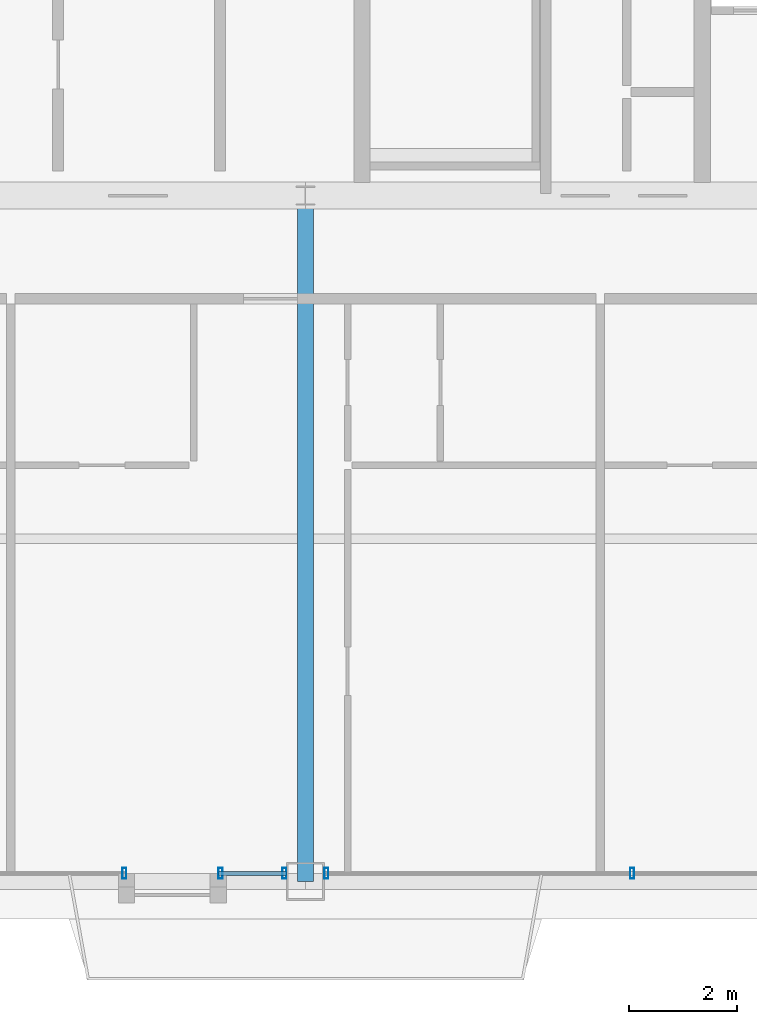
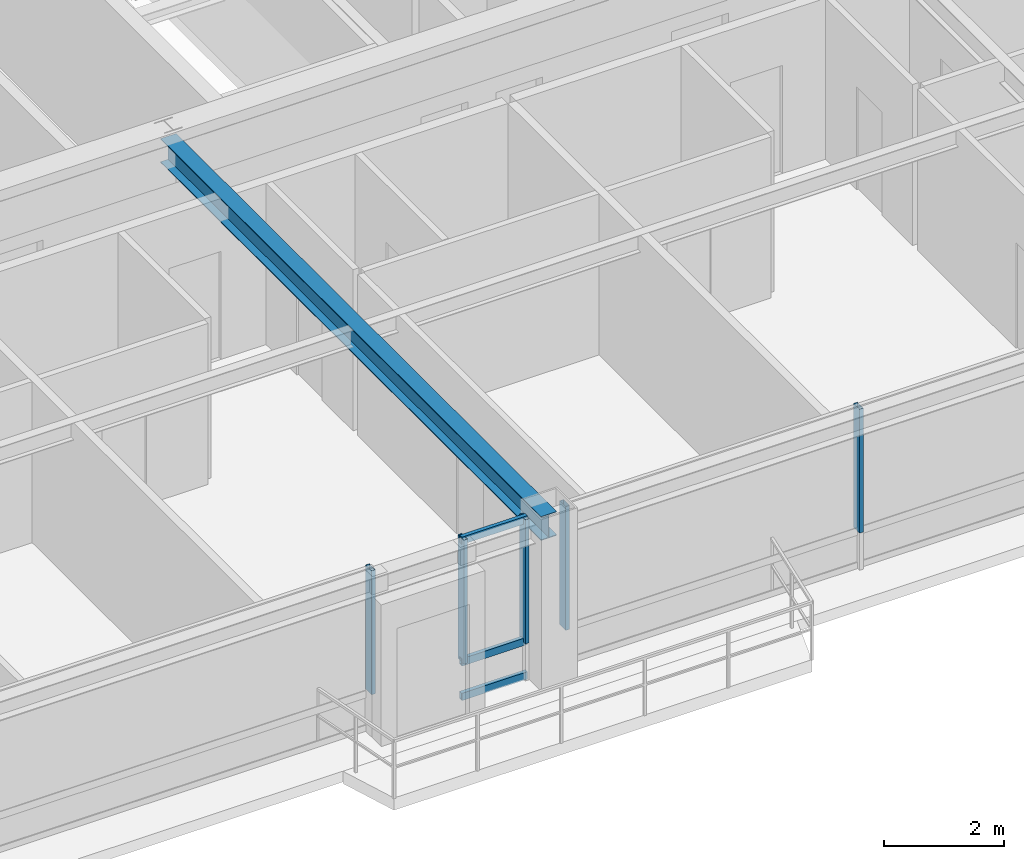
# One storey, part 7 of 33: 8 members, 1 beam, 3 elements without a shape of their own.
"""IFC4 building model written with IfcOpenShell, lengths in metres."""

from ifc_helpers import new_model, si_unit, direction, frame, origin, origin_2d, place, context, subcontext, project, spatial, hollow_rectangle, i_section, extrude, source, transform, mapped, material, layer, layer_set, material_profile, profile_set, type_object, element, aggregate, save


model = new_model("IFC4")

# Units and contexts
model_context = context("Model", 3, precision=1e-05, world=origin(), true_north=direction((0.0, 1.0)))
body_context = subcontext(model_context, "Body", "Model", "MODEL_VIEW")
ifc_project = project(units=[si_unit("LENGTHUNIT", "METRE"), si_unit("AREAUNIT", "SQUARE_METRE"), si_unit("VOLUMEUNIT", "CUBIC_METRE"), si_unit("PLANEANGLEUNIT", "RADIAN"), si_unit("MASSUNIT", "GRAM", prefix="KILO"), si_unit("THERMODYNAMICTEMPERATUREUNIT", "KELVIN"), si_unit("POWERUNIT", "WATT")], contexts=[model_context])

# Site, building, storey
site_placement = place(None, origin())
site = spatial("IfcSite", under=ifc_project, at=site_placement, CompositionType="ELEMENT")
building_placement = place(site_placement, origin())
building = spatial("IfcBuilding", under=site, at=building_placement, Name="Yuzanri Waterfront Tower", CompositionType="ELEMENT")
storey_placement = place(building_placement, frame((0.0, 0.0, 292.60009765625)))
storey = spatial("IfcBuildingStorey", under=building, at=storey_placement, Name="L78", CompositionType="ELEMENT", Elevation=292.60009765625)

# Beam
ifc_material_1 = material(Name="Steel Q355B", Category="steel")
ifc_material_profile_1 = material_profile(ifc_material_1, i_section(OverallWidth=0.300048828125, OverallDepth=0.488037109375, WebThickness=0.010986328125, FlangeThickness=0.01806640625, at=origin_2d()), Name="HM 488x300x11x18")
ifc_profile_set_1 = profile_set([ifc_material_profile_1], Name="Steel Q355B")
beam_type = type_object("IfcBeamType", Name="Primary Floor Girder Q355B HM 488x300", PredefinedType="BEAM", material=ifc_profile_set_1)
shared_shape_1 = source(origin(), body_context, "Body", "SweptSolid", [
    extrude(i_section(OverallWidth=0.300048828125, OverallDepth=0.488037109375, WebThickness=0.010986328125, FlangeThickness=0.01806640625, at=origin_2d()), origin(), (0.0, 0.0, 1.0), 12.699951171875),
])
beam_placement = place(storey_placement, frame((37.0, 19.39990234375, 3.035888671875), z_axis=(0.0, -1.0, 0.0), x_axis=(1.0, 0.0, 0.0)))
element("IfcBeam", 1, at=beam_placement, inside=storey, type_object=beam_type, Name="L78 South Grid Girder", PredefinedType="BEAM", context=body_context, shape_type="MappedRepresentation", body=[
    mapped(shared_shape_1, transform((0.0, 0.0, 0.0), scale=1.0)),
])

# Curtain wall, member
ifc_material_2 = material(Name="Anodized Architectural Bronze", Category="metal")
ifc_layer = layer(ifc_material_2, 0.159912109375)
ifc_layer_set = layer_set([ifc_layer], Name="Anodized Architectural Bronze")
curtain_wall_type = type_object("IfcCurtainWallType", Name="Anodized Bronze High-Rise Penthouse High-Wind Unitized Curtain Wall 6900", PredefinedType="NOTDEFINED", material=ifc_layer_set)
curtain_wall_1_placement = place(storey_placement, origin())
curtain_wall_1 = element("IfcCurtainWall", 2, at=curtain_wall_1_placement, inside=storey, type_object=curtain_wall_type, Name="L78 Curtain Wall CW-L78-SL1", PredefinedType="NOTDEFINED")
ifc_material_3 = material(Name="Anodized Architectural Bronze", Category="metal")
ifc_material_profile_2 = material_profile(ifc_material_3, hollow_rectangle(XDim=0.074951171875, YDim=0.199951171875, WallThickness=0.00390625, at=origin_2d()), Name="CWM 75x200")
ifc_profile_set_2 = profile_set([ifc_material_profile_2], Name="Anodized Architectural Bronze")
member_type_1 = type_object("IfcMemberType", Name="Anodized Bronze Primary Curtain-Wall Mullion 75x200", PredefinedType="MULLION", material=ifc_profile_set_2)
shared_shape_2 = source(origin(), body_context, "Body", "SweptSolid", [
    extrude(hollow_rectangle(XDim=0.074951171875, YDim=0.199951171875, WallThickness=0.00390625, at=origin_2d()), origin(), (0.0, 0.0, 1.0), 2.52392578125),
])
member_1_placement = place(storey_placement, frame((33.64697265625, 6.85009765625, 0.755859375), z_axis=(0.0, 0.0, 1.0), x_axis=(1.0, 0.0, 0.0)))
member_1 = element("IfcMember", 3, at=member_1_placement, type_object=member_type_1, Name="CW-L78-SL1 Upper Mullion 01", PredefinedType="MULLION", context=body_context, shape_type="MappedRepresentation", body=[
    mapped(shared_shape_2, transform((0.0, 0.0, 0.0), scale=1.0)),
])
aggregate(curtain_wall_1, [member_1])

# Curtain wall, members
curtain_wall_2_placement = place(storey_placement, origin())
curtain_wall_2 = element("IfcCurtainWall", 4, at=curtain_wall_2_placement, inside=storey, type_object=curtain_wall_type, Name="L78 Curtain Wall CW-L78-SL2", PredefinedType="NOTDEFINED")
member_2_placement = place(storey_placement, frame((35.427001953125, 6.85009765625, 0.755859375), z_axis=(0.0, 0.0, 1.0), x_axis=(1.0, 0.0, 0.0)))
member_2 = element("IfcMember", 5, at=member_2_placement, type_object=member_type_1, Name="CW-L78-SL2 Upper Mullion 00", PredefinedType="MULLION", context=body_context, shape_type="MappedRepresentation", body=[
    mapped(shared_shape_2, transform((0.0, 0.0, 0.0), scale=1.0)),
])
member_3_placement = place(storey_placement, frame((36.610107421875, 6.85009765625, 0.755859375), z_axis=(0.0, 0.0, 1.0), x_axis=(1.0, 0.0, 0.0)))
member_3 = element("IfcMember", 6, at=member_3_placement, type_object=member_type_1, Name="CW-L78-SL2 Upper Mullion 01", PredefinedType="MULLION", context=body_context, shape_type="MappedRepresentation", body=[
    mapped(shared_shape_2, transform((0.0, 0.0, 0.0), scale=1.0)),
])

curtain_wall_3_placement = place(storey_placement, origin())
curtain_wall_3 = element("IfcCurtainWall", 7, at=curtain_wall_3_placement, inside=storey, type_object=curtain_wall_type, Name="L78 Curtain Wall CW-L78-SR", PredefinedType="NOTDEFINED")
member_4_placement = place(storey_placement, frame((37.389892578125, 6.85009765625, 0.755859375), z_axis=(0.0, 0.0, 1.0), x_axis=(1.0, 0.0, 0.0)))
member_4 = element("IfcMember", 8, at=member_4_placement, type_object=member_type_1, Name="CW-L78-SR Upper Mullion 00", PredefinedType="MULLION", context=body_context, shape_type="MappedRepresentation", body=[
    mapped(shared_shape_2, transform((0.0, 0.0, 0.0), scale=1.0)),
])
member_5_placement = place(storey_placement, frame((43.050048828125, 6.85009765625, 0.755859375), z_axis=(0.0, 0.0, 1.0), x_axis=(1.0, 0.0, 0.0)))
member_5 = element("IfcMember", 9, at=member_5_placement, type_object=member_type_1, Name="CW-L78-SR Upper Mullion 01", PredefinedType="MULLION", context=body_context, shape_type="MappedRepresentation", body=[
    mapped(shared_shape_2, transform((0.0, 0.0, 0.0), scale=1.0)),
])
aggregate(curtain_wall_3, [member_4, member_5])

# Member
ifc_material_4 = material(Name="Anodized Architectural Bronze", Category="metal")
ifc_material_profile_3 = material_profile(ifc_material_4, hollow_rectangle(XDim=0.074951171875, YDim=0.14990234375, WallThickness=0.00390625, at=origin_2d()), Name="CWT 75x150")
ifc_profile_set_3 = profile_set([ifc_material_profile_3], Name="Anodized Architectural Bronze")
member_type_2 = type_object("IfcMemberType", Name="Anodized Bronze Primary Curtain-Wall Transom 75x150", PredefinedType="USERDEFINED", material=ifc_profile_set_3)
shared_shape_3 = source(origin(), body_context, "Body", "SweptSolid", [
    extrude(hollow_rectangle(XDim=0.074951171875, YDim=0.14990234375, WallThickness=0.00390625, at=origin_2d()), origin(), (0.0, 0.0, 1.0), 1.262939453125),
])
member_6_placement = place(storey_placement, frame((35.386962890625, 6.85009765625, 0.0498046875), z_axis=(1.0, 0.0, 0.0), x_axis=(0.0, 1.0, 0.0)))
member_6 = element("IfcMember", 10, at=member_6_placement, type_object=member_type_2, Name="CW-L78-SL2 Transom 1", ObjectType="TRANSOM", PredefinedType="USERDEFINED", context=body_context, shape_type="MappedRepresentation", body=[
    mapped(shared_shape_3, transform((0.0, 0.0, 0.0), scale=1.0)),
])

member_7_placement = place(storey_placement, frame((35.386962890625, 6.85009765625, 0.75390625), z_axis=(1.0, 0.0, 0.0), x_axis=(0.0, 1.0, 0.0)))
member_7 = element("IfcMember", 11, at=member_7_placement, type_object=member_type_2, Name="CW-L78-SL2 Transom 2", ObjectType="TRANSOM", PredefinedType="USERDEFINED", context=body_context, shape_type="MappedRepresentation", body=[
    mapped(shared_shape_3, transform((0.0, 0.0, 0.0), scale=1.0)),
])

member_8_placement = place(storey_placement, frame((35.386962890625, 6.85009765625, 3.22998046875), z_axis=(1.0, 0.0, 0.0), x_axis=(0.0, 1.0, 0.0)))
member_8 = element("IfcMember", 12, at=member_8_placement, type_object=member_type_2, Name="CW-L78-SL2 Transom 3", ObjectType="TRANSOM", PredefinedType="USERDEFINED", context=body_context, shape_type="MappedRepresentation", body=[
    mapped(shared_shape_3, transform((0.0, 0.0, 0.0), scale=1.0)),
])

aggregate(curtain_wall_2, [member_2, member_3, member_6, member_7, member_8])

save(model, "model.ifc")
